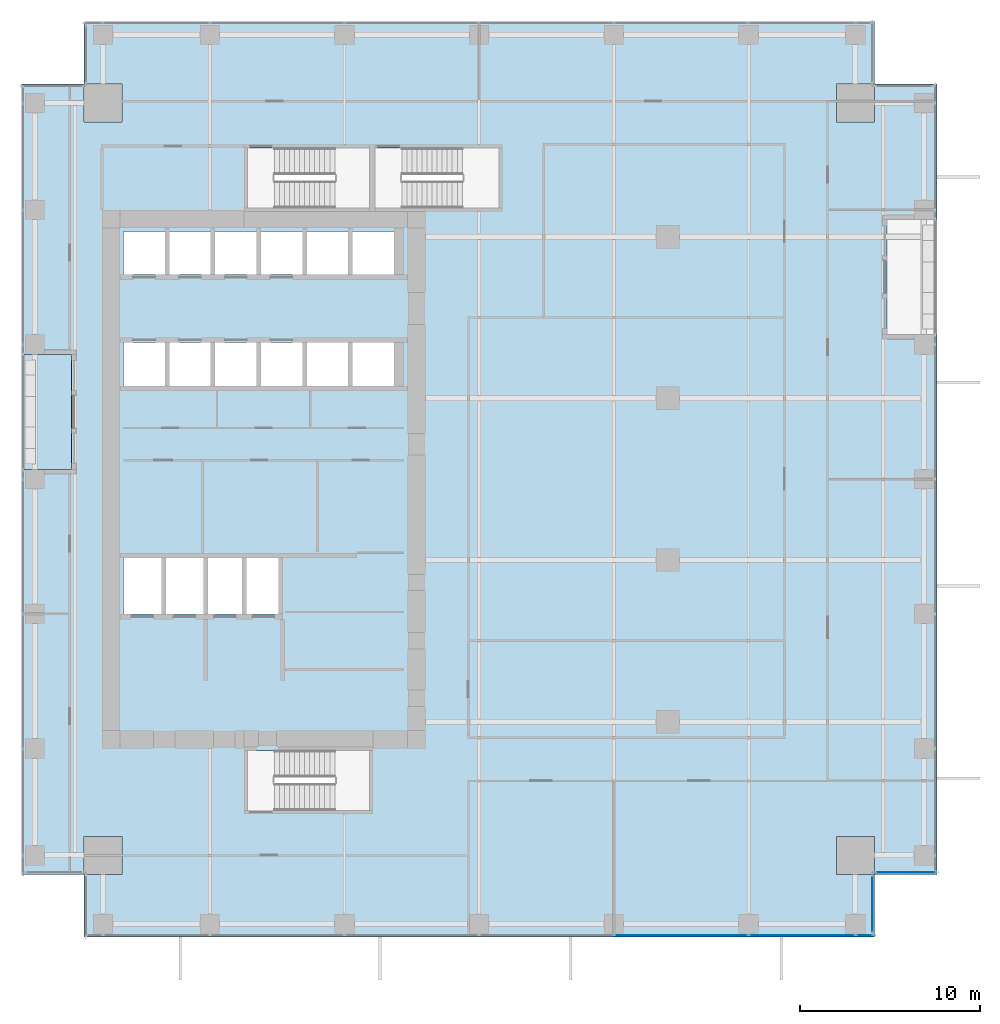
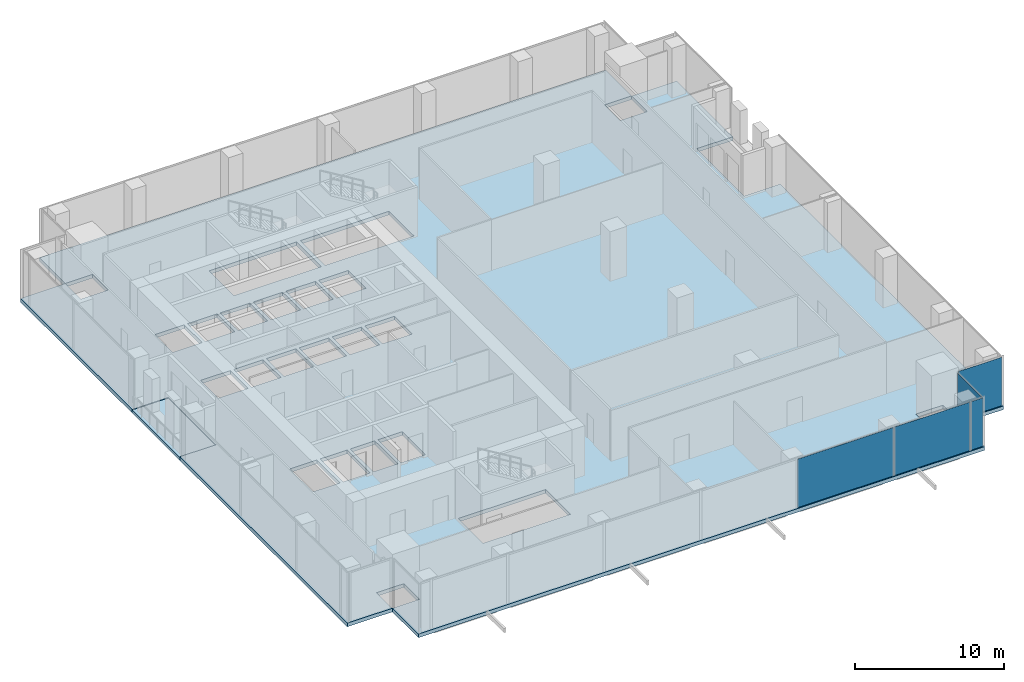
# One storey, part 25 of 35: 5 plates, 2 slabs, 3 elements without a shape of their own.
"""IFC4 building model written with IfcOpenShell, lengths in metres."""

from ifc_helpers import new_model, si_unit, direction, frame, origin, origin_2d, place, context, subcontext, project, spatial, polyline, rectangle, outline, extrude, source, transform, mapped, material, layer, layer_set, type_object, element, aggregate, save


model = new_model("IFC4")

# Units and contexts
model_context = context("Model", 3, precision=1e-05, world=origin(), true_north=direction((0.0, 1.0)))
body_context = subcontext(model_context, "Body", "Model", "MODEL_VIEW")
ifc_project = project(units=[si_unit("LENGTHUNIT", "METRE"), si_unit("AREAUNIT", "SQUARE_METRE"), si_unit("VOLUMEUNIT", "CUBIC_METRE"), si_unit("PLANEANGLEUNIT", "RADIAN"), si_unit("MASSUNIT", "GRAM", prefix="KILO")], contexts=[model_context])

# Site, building, storey
site_placement = place(None, origin())
site = spatial("IfcSite", under=ifc_project, at=site_placement, CompositionType="ELEMENT")
building_placement = place(site_placement, origin())
building = spatial("IfcBuilding", under=site, at=building_placement, Name="Khomas Fold Tower", CompositionType="ELEMENT")
storey_placement = place(building_placement, frame((0.0, 0.0, 132.300048828125)))
storey = spatial("IfcBuildingStorey", under=building, at=storey_placement, Name="L28", CompositionType="ELEMENT", Elevation=132.300048828125)

# Slab
ifc_material_1 = material(Name="Concrete C40/50", Category="concrete")
ifc_layer_1 = layer(ifc_material_1, 0.300048828125)
ifc_layer_set_1 = layer_set([ifc_layer_1], Name="Concrete C40/50")
slab_type_1 = type_object("IfcSlabType", Name="RC floor slab 300", PredefinedType="FLOOR", material=ifc_layer_set_1)
shared_shape_1 = source(origin(), body_context, "Body", "SweptSolid", [
    extrude(outline(polyline([(1.5, 5.0), (4.9951171875, 5.0), (4.9951171875, 7.10498046875), (7.10498046875, 7.10498046875), (7.10498046875, 4.9951171875), (5.0, 4.9951171875), (5.0, 1.5), (49.0, 1.5), (49.0, 4.9951171875), (46.89501953125, 4.9951171875), (46.89501953125, 7.10498046875), (49.0048828125, 7.10498046875), (49.0048828125, 5.0), (52.5, 5.0), (52.5, 35.050048828125), (49.699951171875, 35.050048828125), (49.699951171875, 41.449951171875), (52.5, 41.449951171875), (52.5, 49.0), (49.0048828125, 49.0), (49.0048828125, 46.89501953125), (46.89501953125, 46.89501953125), (46.89501953125, 49.0048828125), (49.0, 49.0048828125), (49.0, 52.5), (5.0, 52.5), (5.0, 49.0048828125), (7.10498046875, 49.0048828125), (7.10498046875, 46.89501953125), (4.9951171875, 46.89501953125), (4.9951171875, 49.0), (1.5, 49.0), (1.5, 33.949951171875), (4.300048828125, 33.949951171875), (4.300048828125, 27.550048828125), (1.5, 27.550048828125), (1.5, 5.0)]), holes=[polyline([(7.199951171875, 19.5), (7.199951171875, 22.60009765625), (9.300048828125, 22.60009765625), (9.300048828125, 19.5), (7.199951171875, 19.5)]), polyline([(7.199951171875, 32.199951171875), (7.199951171875, 34.60009765625), (9.5, 34.60009765625), (9.5, 32.199951171875), (7.199951171875, 32.199951171875)]), polyline([(7.199951171875, 38.39990234375), (7.199951171875, 40.800048828125), (9.5, 40.800048828125), (9.5, 38.39990234375), (7.199951171875, 38.39990234375)]), polyline([(9.550048828125, 19.5), (9.550048828125, 22.60009765625), (11.64990234375, 22.60009765625), (11.64990234375, 19.5), (9.550048828125, 19.5)]), polyline([(9.75, 32.199951171875), (9.75, 34.60009765625), (12.050048828125, 34.60009765625), (12.050048828125, 32.199951171875), (9.75, 32.199951171875)]), polyline([(9.75, 38.39990234375), (9.75, 40.800048828125), (12.050048828125, 40.800048828125), (12.050048828125, 38.39990234375), (9.75, 38.39990234375)]), polyline([(11.89990234375, 19.5), (11.89990234375, 22.60009765625), (13.800048828125, 22.60009765625), (13.800048828125, 19.5), (11.89990234375, 19.5)]), polyline([(12.300048828125, 32.199951171875), (12.300048828125, 34.60009765625), (14.60009765625, 34.60009765625), (14.60009765625, 32.199951171875), (12.300048828125, 32.199951171875)]), polyline([(12.300048828125, 38.39990234375), (12.300048828125, 40.800048828125), (14.60009765625, 40.800048828125), (14.60009765625, 38.39990234375), (12.300048828125, 38.39990234375)]), polyline([(14.050048828125, 19.5), (14.050048828125, 22.60009765625), (15.949951171875, 22.60009765625), (15.949951171875, 19.5), (14.050048828125, 19.5)]), polyline([(14.10009765625, 8.550048828125), (14.10009765625, 11.89990234375), (20.89990234375, 11.89990234375), (20.89990234375, 8.550048828125), (14.10009765625, 8.550048828125)]), polyline([(14.10009765625, 42.10009765625), (14.10009765625, 45.449951171875), (20.89990234375, 45.449951171875), (20.89990234375, 42.10009765625), (14.10009765625, 42.10009765625)]), polyline([(14.85009765625, 32.199951171875), (14.85009765625, 34.60009765625), (17.14990234375, 34.60009765625), (17.14990234375, 32.199951171875), (14.85009765625, 32.199951171875)]), polyline([(14.85009765625, 38.39990234375), (14.85009765625, 40.800048828125), (17.14990234375, 40.800048828125), (17.14990234375, 38.39990234375), (14.85009765625, 38.39990234375)]), polyline([(17.39990234375, 32.199951171875), (17.39990234375, 34.60009765625), (19.699951171875, 34.60009765625), (19.699951171875, 32.199951171875), (17.39990234375, 32.199951171875)]), polyline([(17.39990234375, 38.39990234375), (17.39990234375, 40.800048828125), (19.699951171875, 40.800048828125), (19.699951171875, 38.39990234375), (17.39990234375, 38.39990234375)]), polyline([(19.949951171875, 32.199951171875), (19.949951171875, 34.60009765625), (22.25, 34.60009765625), (22.25, 32.199951171875), (19.949951171875, 32.199951171875)]), polyline([(19.949951171875, 38.39990234375), (19.949951171875, 40.800048828125), (22.25, 40.800048828125), (22.25, 38.39990234375), (19.949951171875, 38.39990234375)]), polyline([(21.199951171875, 42.10009765625), (21.199951171875, 45.449951171875), (28.10009765625, 45.449951171875), (28.10009765625, 42.10009765625), (21.199951171875, 42.10009765625)])]), origin(), (0.0, 0.0, 1.0), 0.300048828125),
])
slab_1_placement = place(storey_placement, frame((0.0, 0.0, -0.300048828125)))
element("IfcSlab", 1, at=slab_1_placement, inside=storey, type_object=slab_type_1, Name="S-L28", PredefinedType="FLOOR", context=body_context, shape_type="MappedRepresentation", body=[
    mapped(shared_shape_1, transform((0.0, 0.0, 0.0))),
])

# Curtain wall, plates
ifc_material_2 = material(Name="Aluminium framed double glazing", Category="aluminium")
curtain_wall_type = type_object("IfcCurtainWallType", Name="SK-Unitised clear-glass wall, growing floors CW1", PredefinedType="NOTDEFINED", material=ifc_material_2)
curtain_wall_1_placement = place(storey_placement, origin())
curtain_wall_1 = element("IfcCurtainWall", 2, at=curtain_wall_1_placement, inside=storey, type_object=curtain_wall_type, Name="CW1 run L28 00-0", PredefinedType="NOTDEFINED")
ifc_material_3 = material(Name="Clear double glazed unit")
ifc_layer_2 = layer(ifc_material_3, 0.031982421875)
ifc_layer_set_2 = layer_set([ifc_layer_2], Name="Clear double glazed unit")
plate_type = type_object("IfcPlateType", Name="SK-Unitised clear-glass wall, growing floors glass panel CW1-P", PredefinedType="CURTAIN_PANEL", material=ifc_layer_set_2)
shared_shape_2 = source(origin(), body_context, "Body", "SweptSolid", [
    extrude(rectangle(XDim=5.889892578125, YDim=0.031982421875, at=origin_2d()), origin(), (0.0, 0.0, 1.0), 3.97998046875),
])
plate_1_placement = place(storey_placement, frame((44.97509765625, 1.60009765625, 0.0), z_axis=(0.0, 0.0, 1.0), x_axis=(1.0, 0.0, 0.0)))
plate_1 = element("IfcPlate", 3, at=plate_1_placement, type_object=plate_type, Name="CW1 glass panel 7", PredefinedType="CURTAIN_PANEL", context=body_context, shape_type="MappedRepresentation", body=[
    mapped(shared_shape_2, transform((0.0, 0.0, 0.0))),
])
shared_shape_3 = source(origin(), body_context, "Body", "SweptSolid", [
    extrude(rectangle(XDim=7.43994140625, YDim=0.031982421875, at=origin_2d()), origin(), (0.0, 0.0, 1.0), 3.97998046875),
])
plate_2_placement = place(storey_placement, frame((38.25, 1.60009765625, 0.0), z_axis=(0.0, 0.0, 1.0), x_axis=(1.0, 0.0, 0.0)))
plate_2 = element("IfcPlate", 4, at=plate_2_placement, type_object=plate_type, Name="CW1 glass panel 6", PredefinedType="CURTAIN_PANEL", context=body_context, shape_type="MappedRepresentation", body=[
    mapped(shared_shape_3, transform((0.0, 0.0, 0.0))),
])
shared_shape_4 = source(origin(), body_context, "Body", "SweptSolid", [
    extrude(rectangle(XDim=0.9599609375, YDim=0.031982421875, at=origin_2d()), origin(), (0.0, 0.0, 1.0), 3.97998046875),
])
plate_3_placement = place(storey_placement, frame((48.4599609375, 1.60009765625, 0.0), z_axis=(0.0, 0.0, 1.0), x_axis=(1.0, 0.0, 0.0)))
plate_3 = element("IfcPlate", 5, at=plate_3_placement, type_object=plate_type, Name="CW1 glass panel 8", PredefinedType="CURTAIN_PANEL", context=body_context, shape_type="MappedRepresentation", body=[
    mapped(shared_shape_4, transform((0.0, 0.0, 0.0))),
])
aggregate(curtain_wall_1, [plate_2, plate_1, plate_3])

# Curtain wall, plate
curtain_wall_2_placement = place(storey_placement, origin())
curtain_wall_2 = element("IfcCurtainWall", 6, at=curtain_wall_2_placement, inside=storey, type_object=curtain_wall_type, Name="CW1 corner return L28 01", PredefinedType="NOTDEFINED")
shared_shape_5 = source(origin(), body_context, "Body", "SweptSolid", [
    extrude(rectangle(XDim=3.179931640625, YDim=0.031982421875, at=origin_2d()), origin(), (0.0, 0.0, 1.0), 3.97998046875),
])
plate_4_placement = place(storey_placement, frame((48.89990234375, 3.35009765625, 0.0), z_axis=(0.0, 0.0, 1.0), x_axis=(0.0, 1.0, 0.0)))
plate_4 = element("IfcPlate", 7, at=plate_4_placement, type_object=plate_type, Name="CW1 glass panel 1", PredefinedType="CURTAIN_PANEL", context=body_context, shape_type="MappedRepresentation", body=[
    mapped(shared_shape_5, transform((0.0, 0.0, 0.0))),
])
aggregate(curtain_wall_2, [plate_4])

curtain_wall_3_placement = place(storey_placement, origin())
curtain_wall_3 = element("IfcCurtainWall", 8, at=curtain_wall_3_placement, inside=storey, type_object=curtain_wall_type, Name="CW1 corner return L28 02", PredefinedType="NOTDEFINED")
shared_shape_6 = source(origin(), body_context, "Body", "SweptSolid", [
    extrude(rectangle(XDim=3.3798828125, YDim=0.031982421875, at=origin_2d()), origin(), (0.0, 0.0, 1.0), 3.97998046875),
])
plate_5_placement = place(storey_placement, frame((50.75, 5.10009765625, 0.0), z_axis=(0.0, 0.0, 1.0), x_axis=(1.0, 0.0, 0.0)))
plate_5 = element("IfcPlate", 9, at=plate_5_placement, type_object=plate_type, Name="CW1 glass panel 1", PredefinedType="CURTAIN_PANEL", context=body_context, shape_type="MappedRepresentation", body=[
    mapped(shared_shape_6, transform((0.0, 0.0, 0.0))),
])
aggregate(curtain_wall_3, [plate_5])

# Slab
ifc_material_4 = material(Name="Concrete C40/50", Category="concrete")
ifc_layer_3 = layer(ifc_material_4, 0.2548828125)
ifc_layer_set_3 = layer_set([ifc_layer_3], Name="Concrete C40/50")
slab_type_2 = type_object("IfcSlabType", Name="BL-Balcony deck 255", PredefinedType="FLOOR", material=ifc_layer_set_3)
shared_shape_7 = source(origin(), body_context, "Body", "SweptSolid", [
    extrude(outline(polyline([(1.5, 27.550048828125), (4.300048828125, 27.550048828125), (4.300048828125, 33.949951171875), (1.5, 33.949951171875), (1.5, 27.550048828125)])), origin(), (0.0, 0.0, 1.0), 0.2548828125),
])
slab_2_placement = place(storey_placement, frame((0.0, 0.0, -0.300048828125)))
element("IfcSlab", 10, at=slab_2_placement, inside=storey, type_object=slab_type_2, Name="Balcony deck BAL-L28-W3", PredefinedType="FLOOR", context=body_context, shape_type="MappedRepresentation", body=[
    mapped(shared_shape_7, transform((0.0, 0.0, 0.0))),
])

save(model, "model.ifc")
